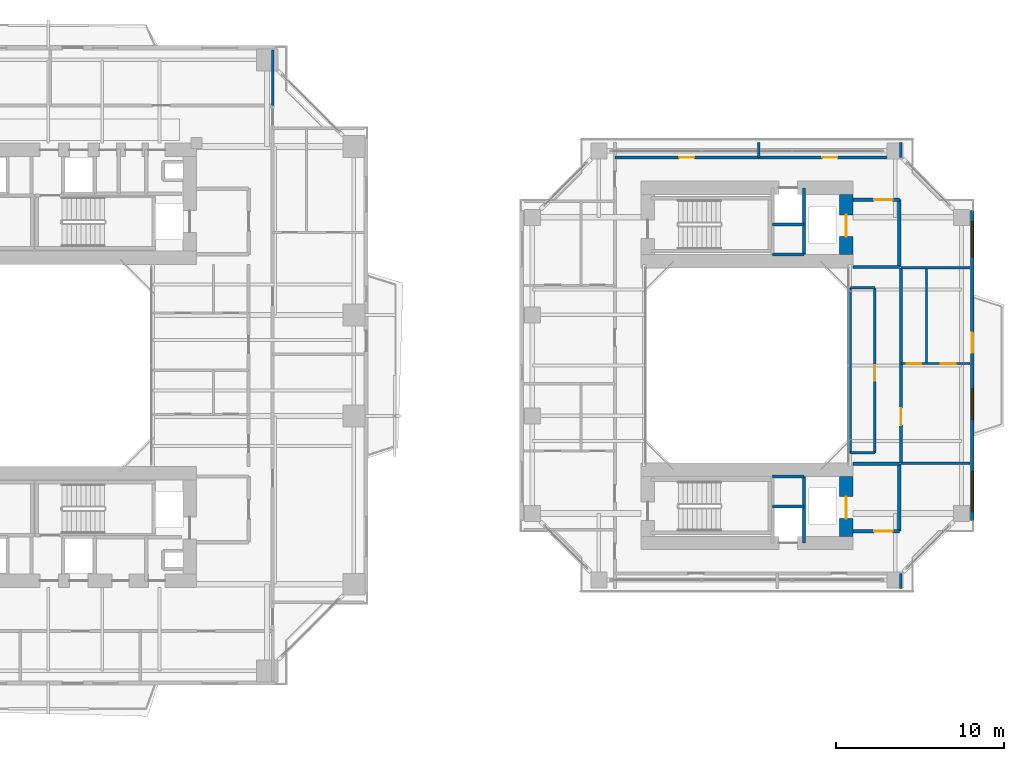
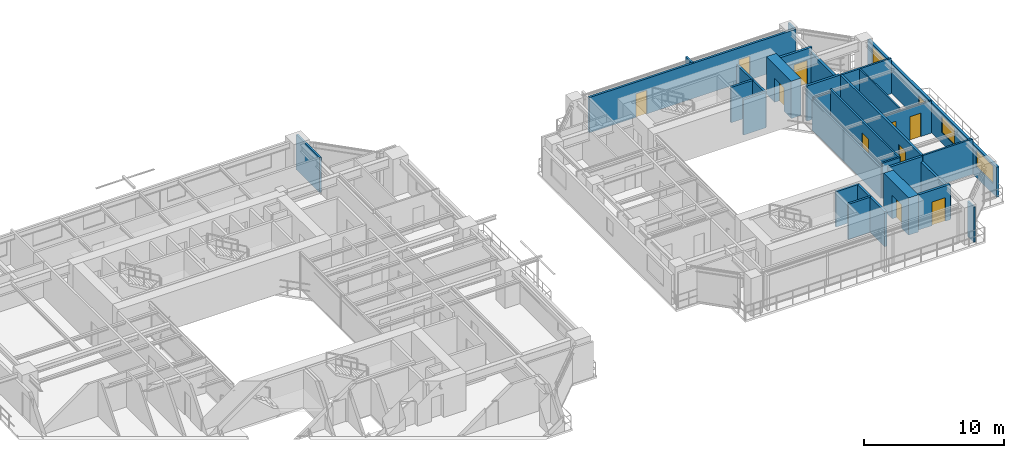
# One storey, part 17 of 23: 29 walls, 11 doors, 3 windows, 14 openings.
"""IFC4 building model written with IfcOpenShell, lengths in metres."""

from ifc_helpers import new_model, si_unit, direction, frame, frame_2d, origin, place, context, subcontext, project, spatial, rectangle, extrude, source, transform, mapped, material, layer, layer_set, type_object, element, fill, save


model = new_model("IFC4")

# Units and contexts
model_context = context("Model", 3, precision=1e-05, world=origin(), true_north=direction((0.0, 1.0)))
body_context = subcontext(model_context, "Body", "Model", "MODEL_VIEW")
ifc_project = project(units=[si_unit("LENGTHUNIT", "METRE"), si_unit("AREAUNIT", "SQUARE_METRE"), si_unit("VOLUMEUNIT", "CUBIC_METRE"), si_unit("PLANEANGLEUNIT", "RADIAN"), si_unit("MASSUNIT", "GRAM", prefix="KILO"), si_unit("THERMODYNAMICTEMPERATUREUNIT", "KELVIN"), si_unit("POWERUNIT", "WATT")], contexts=[model_context])

# Site, building, storey
site_placement = place(None, origin())
site = spatial("IfcSite", under=ifc_project, at=site_placement, CompositionType="ELEMENT")
building_placement = place(site_placement, origin())
building = spatial("IfcBuilding", under=site, at=building_placement, Name="Qiaomeng Ring Towers", CompositionType="ELEMENT")
storey_placement = place(building_placement, frame((0.0, 0.0, 29.5)))
storey = spatial("IfcBuildingStorey", under=building, at=storey_placement, Name="L07", CompositionType="ELEMENT", Elevation=29.5)

# Wall, openings, windows, door
ifc_material_1 = material(Name="Precast concrete C40", Category="concrete")
ifc_layer_1 = layer(ifc_material_1, 0.219970703125, Name="Precast concrete C40")
ifc_layer_set_1 = layer_set([ifc_layer_1], Name="Precast concrete C40")
wall_type_1 = type_object("IfcWallType", Name="ARC-WL-EW2", PredefinedType="STANDARD", material=ifc_layer_set_1)
wall_1_placement = place(storey_placement, frame((73.889892578125, 13.800048828125, 0.0), z_axis=(0.0, 0.0, 1.0), x_axis=(0.0, 1.0, 0.0)))
wall_1 = element("IfcWall", 1, at=wall_1_placement, inside=storey, type_object=wall_type_1, Name="L07 Companion East Wall", PredefinedType="STANDARD", context=body_context, shape_type="SweptSolid", body=[
    extrude(rectangle(XDim=18.39990234375, YDim=0.219970703125, at=frame_2d((9.199951171875, 0.0))), origin(), (0.0, 0.0, 1.0), 2.610107421875),
])
opening_1_placement = place(wall_1_placement, frame((9.949951171875, 0.0, 0.0)))
opening_1 = element("IfcOpeningElement", 2, at=opening_1_placement, cuts=wall_1, Name="Opening BD1", PredefinedType="OPENING", context=body_context, shape_type="SweptSolid", body=[
    extrude(rectangle(XDim=1.199951171875, YDim=2.10009765625, at=frame_2d((0.60009765625, 1.050048828125))), frame((0.0, 0.119873046875, 0.0), z_axis=(0.0, -1.0, 0.0), x_axis=(1.0, 0.0, 0.0)), (0.0, 0.0, 1.0), 0.239990234375),
])
opening_2_placement = place(wall_1_placement, frame((0.507568359375, 0.0, 0.89990234375)))
opening_2 = element("IfcOpeningElement", 3, at=opening_2_placement, cuts=wall_1, Name="Opening WN6", PredefinedType="OPENING", context=body_context, shape_type="SweptSolid", body=[
    extrude(rectangle(XDim=2.39990234375, YDim=1.5, at=frame_2d((1.199951171875, 0.75))), frame((0.0, 0.119873046875, 0.0), z_axis=(0.0, -1.0, 0.0), x_axis=(1.0, 0.0, 0.0)), (0.0, 0.0, 1.0), 0.239990234375),
])
opening_3_placement = place(wall_1_placement, frame((6.0, 0.0, 0.89990234375)))
opening_3 = element("IfcOpeningElement", 4, at=opening_3_placement, cuts=wall_1, Name="Opening WN1", PredefinedType="OPENING", context=body_context, shape_type="SweptSolid", body=[
    extrude(rectangle(XDim=1.800048828125, YDim=1.449951171875, at=frame_2d((0.89990234375, 0.72509765625))), frame((0.0, 0.119873046875, 0.0), z_axis=(0.0, -1.0, 0.0), x_axis=(1.0, 0.0, 0.0)), (0.0, 0.0, 1.0), 0.239990234375),
])
opening_4_placement = place(wall_1_placement, frame((15.642578125, 0.0, 0.89990234375)))
opening_4 = element("IfcOpeningElement", 5, at=opening_4_placement, cuts=wall_1, Name="Opening WN4", PredefinedType="OPENING", context=body_context, shape_type="SweptSolid", body=[
    extrude(rectangle(XDim=2.10009765625, YDim=1.5, at=frame_2d((1.050048828125, 0.75))), frame((0.0, 0.119873046875, 0.0), z_axis=(0.0, -1.0, 0.0), x_axis=(1.0, 0.0, 0.0)), (0.0, 0.0, 1.0), 0.239990234375),
])
ifc_material_2 = material(Name="Low-E dark-grey laminated double glazing", Category="glass")
window_type_1 = type_object("IfcWindowType", Name="ARC-WN-4", PartitioningType="TRIPLE_PANEL_VERTICAL", PredefinedType="WINDOW", material=ifc_material_2)
shared_shape_1 = source(origin(), body_context, "Body", "SweptSolid", [
    extrude(rectangle(XDim=2.10009765625, YDim=1.5, at=frame_2d((1.050048828125, 0.75))), frame((0.0, 0.030029296875, 0.0), z_axis=(0.0, -1.0, 0.0), x_axis=(1.0, 0.0, 0.0)), (0.0, 0.0, 1.0), 0.06005859375),
])
window_1_placement = place(opening_4_placement, origin())
window_1 = element("IfcWindow", 6, at=window_1_placement, inside=storey, type_object=window_type_1, Name="L07 Exterior Window WN4", OverallHeight=1.5, OverallWidth=2.10009765625, PartitioningType="TRIPLE_PANEL_VERTICAL", PredefinedType="WINDOW", context=body_context, shape_type="MappedRepresentation", body=[
    mapped(shared_shape_1, transform((0.0, 0.0, 0.0), x_axis=(1.0, 0.0, 0.0), y_axis=(0.0, 1.0, 0.0), z_axis=(0.0, 0.0, 1.0), scale=1.0)),
])
fill(opening_4, window_1)
window_type_2 = type_object("IfcWindowType", Name="ARC-WN-1", PartitioningType="DOUBLE_PANEL_VERTICAL", PredefinedType="WINDOW", material=ifc_material_2)
shared_shape_2 = source(origin(), body_context, "Body", "SweptSolid", [
    extrude(rectangle(XDim=1.800048828125, YDim=1.449951171875, at=frame_2d((0.89990234375, 0.72509765625))), frame((0.0, 0.030029296875, 0.0), z_axis=(0.0, -1.0, 0.0), x_axis=(1.0, 0.0, 0.0)), (0.0, 0.0, 1.0), 0.06005859375),
])
window_2_placement = place(opening_3_placement, origin())
window_2 = element("IfcWindow", 7, at=window_2_placement, inside=storey, type_object=window_type_2, Name="L07 Exterior Window WN1", OverallHeight=1.449951171875, OverallWidth=1.800048828125, PartitioningType="DOUBLE_PANEL_VERTICAL", PredefinedType="WINDOW", context=body_context, shape_type="MappedRepresentation", body=[
    mapped(shared_shape_2, transform((0.0, 0.0, 0.0), x_axis=(1.0, 0.0, 0.0), y_axis=(0.0, 1.0, 0.0), z_axis=(0.0, 0.0, 1.0), scale=1.0)),
])
fill(opening_3, window_2)
door_type_1 = type_object("IfcDoorType", Name="ARC-DR-BD1", OperationType="NOTDEFINED", PredefinedType="DOOR", material=ifc_material_2)
shared_shape_3 = source(origin(), body_context, "Body", "SweptSolid", [
    extrude(rectangle(XDim=1.199951171875, YDim=2.10009765625, at=frame_2d((0.60009765625, 1.050048828125))), frame((0.0, 0.02490234375, 0.0), z_axis=(0.0, -1.0, 0.0), x_axis=(1.0, 0.0, 0.0)), (0.0, 0.0, 1.0), 0.050048828125),
])
door_1_placement = place(opening_1_placement, origin())
door_1 = element("IfcDoor", 8, at=door_1_placement, inside=storey, type_object=door_type_1, Name="L07 Companion East Balcony Door", OperationType="SINGLE_SWING_LEFT", OverallHeight=2.10009765625, OverallWidth=1.199951171875, PredefinedType="DOOR", context=body_context, shape_type="MappedRepresentation", body=[
    mapped(shared_shape_3, transform((0.0, 0.0, 0.0), x_axis=(1.0, 0.0, 0.0), y_axis=(0.0, 1.0, 0.0), z_axis=(0.0, 0.0, 1.0), scale=1.0)),
])
fill(opening_1, door_1)
window_type_3 = type_object("IfcWindowType", Name="ARC-WN-6", PartitioningType="TRIPLE_PANEL_VERTICAL", PredefinedType="WINDOW", material=ifc_material_2)
shared_shape_4 = source(origin(), body_context, "Body", "SweptSolid", [
    extrude(rectangle(XDim=2.39990234375, YDim=1.5, at=frame_2d((1.199951171875, 0.75))), frame((0.0, 0.030029296875, 0.0), z_axis=(0.0, -1.0, 0.0), x_axis=(1.0, 0.0, 0.0)), (0.0, 0.0, 1.0), 0.06005859375),
])
window_3_placement = place(opening_2_placement, origin())
window_3 = element("IfcWindow", 9, at=window_3_placement, inside=storey, type_object=window_type_3, Name="L07 Exterior Window WN6", OverallHeight=1.5, OverallWidth=2.39990234375, PartitioningType="TRIPLE_PANEL_VERTICAL", PredefinedType="WINDOW", context=body_context, shape_type="MappedRepresentation", body=[
    mapped(shared_shape_4, transform((0.0, 0.0, 0.0), x_axis=(1.0, 0.0, 0.0), y_axis=(0.0, 1.0, 0.0), z_axis=(0.0, 0.0, 1.0), scale=1.0)),
])
fill(opening_2, window_3)

# Walls
ifc_material_3 = material(Name="Autoclaved aerated concrete block", Category="concrete")
ifc_layer_2 = layer(ifc_material_3, 0.199951171875, Name="Autoclaved aerated concrete block")
ifc_layer_set_2 = layer_set([ifc_layer_2], Name="Autoclaved aerated concrete block")
wall_type_2 = type_object("IfcWallType", Name="ARC-WL-PW1", PredefinedType="PARTITIONING", material=ifc_layer_set_2)
wall_2_placement = place(storey_placement, frame((66.800048828125, 28.85009765625, 0.0), z_axis=(0.0, 0.0, 1.0), x_axis=(1.0, 0.0, 0.0)))
element("IfcWall", 10, at=wall_2_placement, inside=storey, type_object=wall_type_2, Name="L07 Interior Wall PW1", PredefinedType="PARTITIONING", context=body_context, shape_type="SweptSolid", body=[
    extrude(rectangle(XDim=2.75, YDim=0.199951171875, at=frame_2d((1.375, 0.0))), origin(), (0.0, 0.0, 1.0), 3.070068359375),
])
wall_3_placement = place(storey_placement, frame((69.550048828125, 28.85009765625, 0.0), z_axis=(0.0, 0.0, 1.0), x_axis=(0.0, 1.0, 0.0)))
element("IfcWall", 11, at=wall_3_placement, inside=storey, type_object=wall_type_2, Name="L07 Interior Wall PW1", PredefinedType="PARTITIONING", context=body_context, shape_type="SweptSolid", body=[
    extrude(rectangle(XDim=4.0, YDim=0.199951171875, at=frame_2d((2.0, 0.0))), origin(), (0.0, 0.0, 1.0), 2.614990234375),
])

# Wall, opening, door
wall_4_placement = place(storey_placement, frame((66.800048828125, 32.85009765625, 0.0), z_axis=(0.0, 0.0, 1.0), x_axis=(1.0, 0.0, 0.0)))
wall_4 = element("IfcWall", 12, at=wall_4_placement, inside=storey, type_object=wall_type_2, Name="L07 Interior Wall PW1", PredefinedType="PARTITIONING", context=body_context, shape_type="SweptSolid", body=[
    extrude(rectangle(XDim=2.75, YDim=0.199951171875, at=frame_2d((1.375, 0.0))), origin(), (0.0, 0.0, 1.0), 3.070068359375),
])
opening_5_placement = place(wall_4_placement, frame((1.25, 0.0, 0.0)))
opening_5 = element("IfcOpeningElement", 13, at=opening_5_placement, cuts=wall_4, Name="Opening FD3", PredefinedType="OPENING", context=body_context, shape_type="SweptSolid", body=[
    extrude(rectangle(XDim=1.10009765625, YDim=2.050048828125, at=frame_2d((0.550048828125, 1.02490234375))), frame((0.0, 0.10986328125, 0.0), z_axis=(0.0, -1.0, 0.0), x_axis=(1.0, 0.0, 0.0)), (0.0, 0.0, 1.0), 0.219970703125),
])
ifc_material_4 = material(Name="Galvanised steel", Category="steel")
door_type_2 = type_object("IfcDoorType", Name="ARC-DR-FD3", OperationType="NOTDEFINED", PredefinedType="DOOR", material=ifc_material_4)
shared_shape_5 = source(origin(), body_context, "Body", "SweptSolid", [
    extrude(rectangle(XDim=1.10009765625, YDim=2.050048828125, at=frame_2d((0.550048828125, 1.02490234375))), frame((0.0, 0.02490234375, 0.0), z_axis=(0.0, -1.0, 0.0), x_axis=(1.0, 0.0, 0.0)), (0.0, 0.0, 1.0), 0.050048828125),
])
door_2_placement = place(opening_5_placement, origin())
door_2 = element("IfcDoor", 14, at=door_2_placement, inside=storey, type_object=door_type_2, Name="L07 Door FD3", OperationType="SINGLE_SWING_RIGHT", OverallHeight=2.050048828125, OverallWidth=1.10009765625, PredefinedType="DOOR", context=body_context, shape_type="MappedRepresentation", body=[
    mapped(shared_shape_5, transform((0.0, 0.0, 0.0), x_axis=(1.0, 0.0, 0.0), y_axis=(0.0, 1.0, 0.0), z_axis=(0.0, 0.0, 1.0), scale=1.0)),
])
fill(opening_5, door_2)

# Walls
wall_5_placement = place(storey_placement, frame((66.800048828125, 17.14990234375, 0.0), z_axis=(0.0, 0.0, 1.0), x_axis=(1.0, 0.0, 0.0)))
element("IfcWall", 15, at=wall_5_placement, inside=storey, type_object=wall_type_2, Name="L07 Interior Wall PW1", PredefinedType="PARTITIONING", context=body_context, shape_type="SweptSolid", body=[
    extrude(rectangle(XDim=2.75, YDim=0.199951171875, at=frame_2d((1.375, 0.0))), origin(), (0.0, 0.0, 1.0), 3.070068359375),
])
wall_6_placement = place(storey_placement, frame((69.550048828125, 13.14990234375, 0.0), z_axis=(0.0, 0.0, 1.0), x_axis=(0.0, 1.0, 0.0)))
element("IfcWall", 16, at=wall_6_placement, inside=storey, type_object=wall_type_2, Name="L07 Interior Wall PW1", PredefinedType="PARTITIONING", context=body_context, shape_type="SweptSolid", body=[
    extrude(rectangle(XDim=4.0, YDim=0.199951171875, at=frame_2d((2.0, 0.0))), origin(), (0.0, 0.0, 1.0), 2.614990234375),
])

# Wall, opening, door
wall_7_placement = place(storey_placement, frame((66.800048828125, 13.14990234375, 0.0), z_axis=(0.0, 0.0, 1.0), x_axis=(1.0, 0.0, 0.0)))
wall_7 = element("IfcWall", 17, at=wall_7_placement, inside=storey, type_object=wall_type_2, Name="L07 Interior Wall PW1", PredefinedType="PARTITIONING", context=body_context, shape_type="SweptSolid", body=[
    extrude(rectangle(XDim=2.75, YDim=0.199951171875, at=frame_2d((1.375, 0.0))), origin(), (0.0, 0.0, 1.0), 3.070068359375),
])
opening_6_placement = place(wall_7_placement, frame((1.25, 0.0, 0.0)))
opening_6 = element("IfcOpeningElement", 18, at=opening_6_placement, cuts=wall_7, Name="Opening FD3", PredefinedType="OPENING", context=body_context, shape_type="SweptSolid", body=[
    extrude(rectangle(XDim=1.10009765625, YDim=2.050048828125, at=frame_2d((0.550048828125, 1.02490234375))), frame((0.0, 0.10986328125, 0.0), z_axis=(0.0, -1.0, 0.0), x_axis=(1.0, 0.0, 0.0)), (0.0, 0.0, 1.0), 0.219970703125),
])
door_3_placement = place(opening_6_placement, origin())
door_3 = element("IfcDoor", 19, at=door_3_placement, inside=storey, type_object=door_type_2, Name="L07 Door FD3", OperationType="SINGLE_SWING_RIGHT", OverallHeight=2.050048828125, OverallWidth=1.10009765625, PredefinedType="DOOR", context=body_context, shape_type="MappedRepresentation", body=[
    mapped(shared_shape_5, transform((0.0, 0.0, 0.0), x_axis=(1.0, 0.0, 0.0), y_axis=(0.0, 1.0, 0.0), z_axis=(0.0, 0.0, 1.0), scale=1.0)),
])
fill(opening_6, door_3)

ifc_layer_3 = layer(ifc_material_3, 0.179931640625, Name="Autoclaved aerated concrete block")
ifc_layer_set_3 = layer_set([ifc_layer_3], Name="Autoclaved aerated concrete block")
wall_type_3 = type_object("IfcWallType", Name="ARC-WL-PW2", PredefinedType="PARTITIONING", material=ifc_layer_set_3)
wall_8_placement = place(storey_placement, frame((69.64990234375, 17.199951171875, 0.0), z_axis=(0.0, 0.0, 1.0), x_axis=(0.0, 1.0, 0.0)))
wall_8 = element("IfcWall", 20, at=wall_8_placement, inside=storey, type_object=wall_type_3, Name="L07 Interior Wall PW2", PredefinedType="PARTITIONING", context=body_context, shape_type="SweptSolid", body=[
    extrude(rectangle(XDim=11.60009765625, YDim=0.179931640625, at=frame_2d((5.800048828125, 0.0))), origin(), (0.0, 0.0, 1.0), 3.070068359375),
])
opening_7_placement = place(wall_8_placement, frame((2.260009765625, 0.0, 0.0)))
opening_7 = element("IfcOpeningElement", 21, at=opening_7_placement, cuts=wall_8, Name="Opening FD4", PredefinedType="OPENING", context=body_context, shape_type="SweptSolid", body=[
    extrude(rectangle(XDim=1.0, YDim=2.050048828125, at=frame_2d((0.5, 1.02490234375))), frame((0.0, 0.099853515625, 0.0), z_axis=(0.0, -1.0, 0.0), x_axis=(1.0, 0.0, 0.0)), (0.0, 0.0, 1.0), 0.199951171875),
])
ifc_material_5 = material(Name="Engineered fire-rated oak timber", Category="wood")
door_type_3 = type_object("IfcDoorType", Name="ARC-DR-FD4", OperationType="NOTDEFINED", PredefinedType="DOOR", material=ifc_material_5)
shared_shape_6 = source(origin(), body_context, "Body", "SweptSolid", [
    extrude(rectangle(XDim=1.0, YDim=2.050048828125, at=frame_2d((0.5, 1.02490234375))), frame((0.0, 0.02490234375, 0.0), z_axis=(0.0, -1.0, 0.0), x_axis=(1.0, 0.0, 0.0)), (0.0, 0.0, 1.0), 0.050048828125),
])
door_4_placement = place(opening_7_placement, origin())
door_4 = element("IfcDoor", 22, at=door_4_placement, inside=storey, type_object=door_type_3, Name="L07 Door FD4", OperationType="SINGLE_SWING_RIGHT", OverallHeight=2.050048828125, OverallWidth=1.0, PredefinedType="DOOR", context=body_context, shape_type="MappedRepresentation", body=[
    mapped(shared_shape_6, transform((0.0, 0.0, 0.0), x_axis=(1.0, 0.0, 0.0), y_axis=(0.0, 1.0, 0.0), z_axis=(0.0, 0.0, 1.0), scale=1.0)),
])
fill(opening_7, door_4)

# Wall, openings, doors
wall_9_placement = place(storey_placement, frame((52.64990234375, 35.35009765625, 0.0), z_axis=(0.0, 0.0, 1.0), x_axis=(1.0, 0.0, 0.0)))
wall_9 = element("IfcWall", 23, at=wall_9_placement, inside=storey, type_object=wall_type_3, Name="L07 Interior Wall PW2", PredefinedType="PARTITIONING", context=body_context, shape_type="SweptSolid", body=[
    extrude(rectangle(XDim=17.0, YDim=0.179931640625, at=frame_2d((8.5, 0.0))), origin(), (0.0, 0.0, 1.0), 3.070068359375),
])
opening_8_placement = place(wall_9_placement, frame((3.824951171875, 0.0, 0.0)))
opening_8 = element("IfcOpeningElement", 24, at=opening_8_placement, cuts=wall_9, Name="Opening ID1", PredefinedType="OPENING", context=body_context, shape_type="SweptSolid", body=[
    extrude(rectangle(XDim=0.89990234375, YDim=2.050048828125, at=frame_2d((0.449951171875, 1.02490234375))), frame((0.0, 0.099853515625, 0.0), z_axis=(0.0, -1.0, 0.0), x_axis=(1.0, 0.0, 0.0)), (0.0, 0.0, 1.0), 0.199951171875),
])
opening_9_placement = place(wall_9_placement, frame((12.324951171875, 0.0, 0.0)))
opening_9 = element("IfcOpeningElement", 25, at=opening_9_placement, cuts=wall_9, Name="Opening ID1", PredefinedType="OPENING", context=body_context, shape_type="SweptSolid", body=[
    extrude(rectangle(XDim=0.89990234375, YDim=2.050048828125, at=frame_2d((0.449951171875, 1.02490234375))), frame((0.0, 0.099853515625, 0.0), z_axis=(0.0, -1.0, 0.0), x_axis=(1.0, 0.0, 0.0)), (0.0, 0.0, 1.0), 0.199951171875),
])
ifc_material_6 = material(Name="Engineered oak timber", Category="wood")
door_type_4 = type_object("IfcDoorType", Name="ARC-DR-ID1", OperationType="NOTDEFINED", PredefinedType="DOOR", material=ifc_material_6)
shared_shape_7 = source(origin(), body_context, "Body", "SweptSolid", [
    extrude(rectangle(XDim=0.89990234375, YDim=2.050048828125, at=frame_2d((0.449951171875, 1.02490234375))), frame((0.0, 0.02490234375, 0.0), z_axis=(0.0, -1.0, 0.0), x_axis=(1.0, 0.0, 0.0)), (0.0, 0.0, 1.0), 0.050048828125),
])
door_5_placement = place(opening_8_placement, origin())
door_5 = element("IfcDoor", 26, at=door_5_placement, inside=storey, type_object=door_type_4, Name="L07 Door ID1", OperationType="SINGLE_SWING_RIGHT", OverallHeight=2.050048828125, OverallWidth=0.89990234375, PredefinedType="DOOR", context=body_context, shape_type="MappedRepresentation", body=[
    mapped(shared_shape_7, transform((0.0, 0.0, 0.0), x_axis=(1.0, 0.0, 0.0), y_axis=(0.0, 1.0, 0.0), z_axis=(0.0, 0.0, 1.0), scale=1.0)),
])
fill(opening_8, door_5)
door_6_placement = place(opening_9_placement, origin())
door_6 = element("IfcDoor", 27, at=door_6_placement, inside=storey, type_object=door_type_4, Name="L07 Door ID1", OperationType="SINGLE_SWING_LEFT", OverallHeight=2.050048828125, OverallWidth=0.89990234375, PredefinedType="DOOR", context=body_context, shape_type="MappedRepresentation", body=[
    mapped(shared_shape_7, transform((0.0, 0.0, 0.0), x_axis=(1.0, 0.0, 0.0), y_axis=(0.0, 1.0, 0.0), z_axis=(0.0, 0.0, 1.0), scale=1.0)),
])
fill(opening_9, door_6)

# Walls
ifc_material_7 = material(Name="Gypsum fireboard steel-stud partition", Category="steel")
ifc_layer_4 = layer(ifc_material_7, 0.14990234375, Name="Gypsum fireboard steel-stud partition")
ifc_layer_set_4 = layer_set([ifc_layer_4], Name="Gypsum fireboard steel-stud partition")
wall_type_4 = type_object("IfcWallType", Name="ARC-WL-PW3", PredefinedType="PARTITIONING", material=ifc_layer_set_4)
wall_10_placement = place(storey_placement, frame((32.320068359375, 38.43994140625, 0.0), z_axis=(0.0, 0.0, 1.0), x_axis=(0.0, 1.0, 0.0)))
element("IfcWall", 28, at=wall_10_placement, inside=storey, type_object=wall_type_4, Name="L07 Interior Wall PW3", PredefinedType="PARTITIONING", context=body_context, shape_type="SweptSolid", body=[
    extrude(rectangle(XDim=3.31005859375, YDim=0.14990234375, at=frame_2d((1.655029296875, 0.0))), origin(), (0.0, 0.0, 1.0), 3.070068359375),
])
for number, where, z_axis, x_axis, name in (
    (29, (69.64990234375, 17.199951171875, 0.0), (0.0, 0.0, 1.0), (1.0, 0.0, 0.0), "L07 Interior Wall PW3"),
    (30, (69.64990234375, 28.800048828125, 0.0), (0.0, 0.0, 1.0), (1.0, 0.0, 0.0), "L07 Interior Wall PW3"),
):
    element("IfcWall", number, at=place(storey_placement, frame(where, z_axis=z_axis, x_axis=x_axis)), inside=storey, type_object=wall_type_4, Name=name, PredefinedType="PARTITIONING", context=body_context, shape_type="SweptSolid", body=[
        extrude(rectangle(XDim=4.10009765625, YDim=0.14990234375, at=frame_2d((2.050048828125, 0.0))), origin(), (0.0, 0.0, 1.0), 3.070068359375),
    ])

# Wall, opening, door
wall_11_placement = place(storey_placement, frame((68.10009765625, 17.800048828125, 0.0), z_axis=(0.0, 0.0, 1.0), x_axis=(0.0, 1.0, 0.0)))
wall_11 = element("IfcWall", 31, at=wall_11_placement, inside=storey, type_object=wall_type_4, Name="L07 Interior Wall PW3", PredefinedType="PARTITIONING", context=body_context, shape_type="SweptSolid", body=[
    extrude(rectangle(XDim=9.800048828125, YDim=0.14990234375, at=frame_2d((4.89990234375, 0.0))), origin(), (0.0, 0.0, 1.0), 3.070068359375),
])
opening_10_placement = place(wall_11_placement, frame((4.300048828125, 0.0, 0.0)))
opening_10 = element("IfcOpeningElement", 32, at=opening_10_placement, cuts=wall_11, Name="Opening ID1", PredefinedType="OPENING", context=body_context, shape_type="SweptSolid", body=[
    extrude(rectangle(XDim=0.89990234375, YDim=2.050048828125, at=frame_2d((0.449951171875, 1.02490234375))), frame((0.0, 0.0849609375, 0.0), z_axis=(0.0, -1.0, 0.0), x_axis=(1.0, 0.0, 0.0)), (0.0, 0.0, 1.0), 0.169921875),
])
door_7_placement = place(opening_10_placement, origin())
door_7 = element("IfcDoor", 33, at=door_7_placement, inside=storey, type_object=door_type_4, Name="L07 Door ID1", OperationType="SINGLE_SWING_LEFT", OverallHeight=2.050048828125, OverallWidth=0.89990234375, PredefinedType="DOOR", context=body_context, shape_type="MappedRepresentation", body=[
    mapped(shared_shape_7, transform((0.0, 0.0, 0.0), x_axis=(1.0, 0.0, 0.0), y_axis=(0.0, 1.0, 0.0), z_axis=(0.0, 0.0, 1.0), scale=1.0)),
])
fill(opening_10, door_7)

# Walls
wall_12_placement = place(storey_placement, frame((66.64990234375, 27.60009765625, 0.0), z_axis=(0.0, 0.0, 1.0), x_axis=(1.0, 0.0, 0.0)))
element("IfcWall", 34, at=wall_12_placement, inside=storey, type_object=wall_type_4, Name="L07 Interior Wall PW3", PredefinedType="PARTITIONING", context=body_context, shape_type="SweptSolid", body=[
    extrude(rectangle(XDim=1.4501953125, YDim=0.14990234375, at=frame_2d((0.72509765625, 0.0))), origin(), (0.0, 0.0, 1.0), 2.821044921875),
])
wall_13_placement = place(storey_placement, frame((66.64990234375, 17.800048828125, 0.0), z_axis=(0.0, 0.0, 1.0), x_axis=(1.0, 0.0, 0.0)))
element("IfcWall", 35, at=wall_13_placement, inside=storey, type_object=wall_type_4, Name="L07 Interior Wall PW3", PredefinedType="PARTITIONING", context=body_context, shape_type="SweptSolid", body=[
    extrude(rectangle(XDim=1.4501953125, YDim=0.14990234375, at=frame_2d((0.72509765625, 0.0))), origin(), (0.0, 0.0, 1.0), 3.070068359375),
])
wall_14_placement = place(storey_placement, frame((66.64990234375, 17.800048828125, 0.0), z_axis=(0.0, 0.0, 1.0), x_axis=(0.0, 1.0, 0.0)))
element("IfcWall", 36, at=wall_14_placement, inside=storey, type_object=wall_type_4, Name="L07 Interior Wall PW3", PredefinedType="PARTITIONING", context=body_context, shape_type="SweptSolid", body=[
    extrude(rectangle(XDim=9.800048828125, YDim=0.14990234375, at=frame_2d((4.89990234375, 0.0))), origin(), (0.0, 0.0, 1.0), 2.6650390625),
])
for number, where, z_axis, x_axis, name in (
    (37, (61.199951171875, 35.35009765625, 0.0), (0.0, 0.0, 1.0), (0.0, 1.0, 0.0), "L07 Interior Wall PW3"),
    (38, (69.64990234375, 35.35009765625, 0.0), (0.0, 0.0, 1.0), (0.0, 1.0, 0.0), "L07 Interior Wall PW3"),
    (39, (69.64990234375, 9.75, 0.0), (0.0, 0.0, 1.0), (0.0, 1.0, 0.0), "L07 Interior Wall PW3"),
):
    element("IfcWall", number, at=place(storey_placement, frame(where, z_axis=z_axis, x_axis=x_axis)), inside=storey, type_object=wall_type_4, Name=name, PredefinedType="PARTITIONING", context=body_context, shape_type="SweptSolid", body=[
        extrude(rectangle(XDim=0.89990234375, YDim=0.14990234375, at=frame_2d((0.449951171875, 0.0))), origin(), (0.0, 0.0, 1.0), 3.070068359375),
    ])

# Wall, openings, doors
ifc_material_8 = material(Name="Moisture-resistant gypsum steel-stud partition", Category="steel")
ifc_layer_5 = layer(ifc_material_8, 0.1201171875, Name="Moisture-resistant gypsum steel-stud partition")
ifc_layer_set_5 = layer_set([ifc_layer_5], Name="Moisture-resistant gypsum steel-stud partition")
wall_type_5 = type_object("IfcWallType", Name="ARC-WL-PW4", PredefinedType="PLUMBINGWALL", material=ifc_layer_set_5)
wall_15_placement = place(storey_placement, frame((69.64990234375, 23.10009765625, 0.0), z_axis=(0.0, 0.0, 1.0), x_axis=(1.0, 0.0, 0.0)))
wall_15 = element("IfcWall", 40, at=wall_15_placement, inside=storey, type_object=wall_type_5, Name="L07 Interior Wall PW4", PredefinedType="PLUMBINGWALL", context=body_context, shape_type="SweptSolid", body=[
    extrude(rectangle(XDim=4.10009765625, YDim=0.1201171875, at=frame_2d((2.050048828125, 0.0))), origin(), (0.0, 0.0, 1.0), 2.821044921875),
])
opening_11_placement = place(wall_15_placement, frame((0.344970703125, 0.0, 0.0)))
opening_11 = element("IfcOpeningElement", 41, at=opening_11_placement, cuts=wall_15, Name="Opening ID2", PredefinedType="OPENING", context=body_context, shape_type="SweptSolid", body=[
    extrude(rectangle(XDim=0.85009765625, YDim=2.050048828125, at=frame_2d((0.425048828125, 1.02490234375))), frame((0.0, 0.070068359375, 0.0), z_axis=(0.0, -1.0, 0.0), x_axis=(1.0, 0.0, 0.0)), (0.0, 0.0, 1.0), 0.14013671875),
])
opening_12_placement = place(wall_15_placement, frame((2.35009765625, 0.0, 0.0)))
opening_12 = element("IfcOpeningElement", 42, at=opening_12_placement, cuts=wall_15, Name="Opening ID1", PredefinedType="OPENING", context=body_context, shape_type="SweptSolid", body=[
    extrude(rectangle(XDim=0.89990234375, YDim=2.050048828125, at=frame_2d((0.449951171875, 1.02490234375))), frame((0.0, 0.070068359375, 0.0), z_axis=(0.0, -1.0, 0.0), x_axis=(1.0, 0.0, 0.0)), (0.0, 0.0, 1.0), 0.14013671875),
])
ifc_material_9 = material(Name="Moisture-resistant engineered timber", Category="wood")
door_type_5 = type_object("IfcDoorType", Name="ARC-DR-ID2", OperationType="NOTDEFINED", PredefinedType="DOOR", material=ifc_material_9)
shared_shape_8 = source(origin(), body_context, "Body", "SweptSolid", [
    extrude(rectangle(XDim=0.85009765625, YDim=2.050048828125, at=frame_2d((0.425048828125, 1.02490234375))), frame((0.0, 0.02490234375, 0.0), z_axis=(0.0, -1.0, 0.0), x_axis=(1.0, 0.0, 0.0)), (0.0, 0.0, 1.0), 0.050048828125),
])
door_8_placement = place(opening_11_placement, origin())
door_8 = element("IfcDoor", 43, at=door_8_placement, inside=storey, type_object=door_type_5, Name="L07 Door ID2", OperationType="SINGLE_SWING_RIGHT", OverallHeight=2.050048828125, OverallWidth=0.85009765625, PredefinedType="DOOR", context=body_context, shape_type="MappedRepresentation", body=[
    mapped(shared_shape_8, transform((0.0, 0.0, 0.0), x_axis=(1.0, 0.0, 0.0), y_axis=(0.0, 1.0, 0.0), z_axis=(0.0, 0.0, 1.0), scale=1.0)),
])
fill(opening_11, door_8)
door_9_placement = place(opening_12_placement, origin())
door_9 = element("IfcDoor", 44, at=door_9_placement, inside=storey, type_object=door_type_4, Name="L07 Door ID1", OperationType="SINGLE_SWING_LEFT", OverallHeight=2.050048828125, OverallWidth=0.89990234375, PredefinedType="DOOR", context=body_context, shape_type="MappedRepresentation", body=[
    mapped(shared_shape_7, transform((0.0, 0.0, 0.0), x_axis=(1.0, 0.0, 0.0), y_axis=(0.0, 1.0, 0.0), z_axis=(0.0, 0.0, 1.0), scale=1.0)),
])
fill(opening_12, door_9)

# Walls
wall_16_placement = place(storey_placement, frame((71.169921875, 23.10009765625, 0.0), z_axis=(0.0, 0.0, 1.0), x_axis=(0.0, 1.0, 0.0)))
element("IfcWall", 45, at=wall_16_placement, inside=storey, type_object=wall_type_5, Name="L07 Interior Wall PW4", PredefinedType="PLUMBINGWALL", context=body_context, shape_type="SweptSolid", body=[
    extrude(rectangle(XDim=5.699951171875, YDim=0.1201171875, at=frame_2d((2.85009765625, 0.0))), origin(), (0.0, 0.0, 1.0), 3.070068359375),
])
ifc_material_10 = material(Name="Concrete C40", Category="concrete")
ifc_layer_6 = layer(ifc_material_10, 0.199951171875, Name="Concrete C40")
ifc_layer_set_6 = layer_set([ifc_layer_6], Name="Concrete C40")
wall_type_6 = type_object("IfcWallType", Name="STR-WL-STSHAFT", PredefinedType="SHEAR", material=ifc_layer_set_6)
wall_17_placement = place(storey_placement, frame((63.8798828125, 29.60009765625, 0.0), z_axis=(0.0, 0.0, 1.0), x_axis=(0.0, 1.0, 0.0)))
element("IfcWall", 46, at=wall_17_placement, inside=storey, type_object=wall_type_6, Name="L07 Companion Lift Shaft East Wall N", PredefinedType="SHEAR", context=body_context, shape_type="SweptSolid", body=[
    extrude(rectangle(XDim=3.949951171875, YDim=0.179931640625, at=frame_2d((1.97509765625, 0.0))), origin(), (0.0, 0.0, 1.0), 3.070068359375),
])
for number, where, z_axis, x_axis, name in (
    (47, (62.02001953125, 31.3798828125, 0.0), (0.0, 0.0, 1.0), (1.0, 0.0, 0.0), "L07 Companion Lift Shaft Divider Wall N"),
    (48, (62.02001953125, 29.60009765625, 0.0), (0.0, 0.0, 1.0), (1.0, 0.0, 0.0), "L07 Companion Riser Shaft Back Wall N"),
):
    element("IfcWall", number, at=place(storey_placement, frame(where, z_axis=z_axis, x_axis=x_axis)), inside=storey, type_object=wall_type_6, Name=name, PredefinedType="SHEAR", context=body_context, shape_type="SweptSolid", body=[
        extrude(rectangle(XDim=1.85986328125, YDim=0.179931640625, at=frame_2d((0.929931640625, 0.0))), origin(), (0.0, 0.0, 1.0), 3.070068359375),
    ])
wall_18_placement = place(storey_placement, frame((63.8798828125, 12.449951171875, 0.0), z_axis=(0.0, 0.0, 1.0), x_axis=(0.0, 1.0, 0.0)))
element("IfcWall", 49, at=wall_18_placement, inside=storey, type_object=wall_type_6, Name="L07 Companion Lift Shaft East Wall S", PredefinedType="SHEAR", context=body_context, shape_type="SweptSolid", body=[
    extrude(rectangle(XDim=3.949951171875, YDim=0.179931640625, at=frame_2d((1.97509765625, 0.0))), origin(), (0.0, 0.0, 1.0), 3.070068359375),
])
for number, where, z_axis, x_axis, name in (
    (50, (62.02001953125, 14.6201171875, 0.0), (0.0, 0.0, 1.0), (1.0, 0.0, 0.0), "L07 Companion Lift Shaft Divider Wall S"),
    (51, (62.02001953125, 16.39990234375, 0.0), (0.0, 0.0, 1.0), (1.0, 0.0, 0.0), "L07 Companion Riser Shaft Back Wall S"),
):
    element("IfcWall", number, at=place(storey_placement, frame(where, z_axis=z_axis, x_axis=x_axis)), inside=storey, type_object=wall_type_6, Name=name, PredefinedType="SHEAR", context=body_context, shape_type="SweptSolid", body=[
        extrude(rectangle(XDim=1.85986328125, YDim=0.179931640625, at=frame_2d((0.929931640625, 0.0))), origin(), (0.0, 0.0, 1.0), 3.070068359375),
    ])

# Wall, opening, door
ifc_material_11 = material(Name="Concrete C60", Category="concrete")
ifc_layer_7 = layer(ifc_material_11, 0.800048828125, Name="Concrete C60")
ifc_layer_set_7 = layer_set([ifc_layer_7], Name="Concrete C60")
wall_type_7 = type_object("IfcWallType", Name="STR-WL-SW1", PredefinedType="SHEAR", material=ifc_layer_set_7)
wall_19_placement = place(storey_placement, frame((66.39990234375, 29.60009765625, 0.0), z_axis=(0.0, 0.0, 1.0), x_axis=(0.0, 1.0, 0.0)))
wall_19 = element("IfcWall", 52, at=wall_19_placement, inside=storey, type_object=wall_type_7, Name="L07 T2NC east core shear wall", PredefinedType="SHEAR", context=body_context, shape_type="SweptSolid", body=[
    extrude(rectangle(XDim=3.5498046875, YDim=0.800048828125, at=frame_2d((1.77490234375, 0.0))), origin(), (0.0, 0.0, 1.0), 3.25),
])
opening_13_placement = place(wall_19_placement, frame((1.050048828125, 0.0, 0.0)))
opening_13 = element("IfcOpeningElement", 53, at=opening_13_placement, cuts=wall_19, Name="Opening LD2", PredefinedType="OPENING", context=body_context, shape_type="SweptSolid", body=[
    extrude(rectangle(XDim=1.300048828125, YDim=2.050048828125, at=frame_2d((0.64990234375, 1.02490234375))), frame((0.0, 0.409912109375, 0.0), z_axis=(0.0, -1.0, 0.0), x_axis=(1.0, 0.0, 0.0)), (0.0, 0.0, 1.0), 0.820068359375),
])
ifc_material_12 = material(Name="Stainless steel 316", Category="steel")
door_type_6 = type_object("IfcDoorType", Name="ARC-DR-LD2", OperationType="NOTDEFINED", PredefinedType="DOOR", material=ifc_material_12)
shared_shape_9 = source(origin(), body_context, "Body", "SweptSolid", [
    extrude(rectangle(XDim=1.300048828125, YDim=2.050048828125, at=frame_2d((0.64990234375, 1.02490234375))), frame((0.0, 0.02490234375, 0.0), z_axis=(0.0, -1.0, 0.0), x_axis=(1.0, 0.0, 0.0)), (0.0, 0.0, 1.0), 0.050048828125),
])
door_10_placement = place(opening_13_placement, origin())
door_10 = element("IfcDoor", 54, at=door_10_placement, inside=storey, type_object=door_type_6, Name="L07 Firefighting Lift FL3 Landing Door", OperationType="SLIDING_TO_LEFT", OverallHeight=2.050048828125, OverallWidth=1.300048828125, PredefinedType="DOOR", context=body_context, shape_type="MappedRepresentation", body=[
    mapped(shared_shape_9, transform((0.0, 0.0, 0.0), x_axis=(1.0, 0.0, 0.0), y_axis=(0.0, 1.0, 0.0), z_axis=(0.0, 0.0, 1.0), scale=1.0)),
])
fill(opening_13, door_10)

wall_20_placement = place(storey_placement, frame((66.39990234375, 12.85009765625, 0.0), z_axis=(0.0, 0.0, 1.0), x_axis=(0.0, 1.0, 0.0)))
wall_20 = element("IfcWall", 55, at=wall_20_placement, inside=storey, type_object=wall_type_7, Name="L07 T2SC east core shear wall", PredefinedType="SHEAR", context=body_context, shape_type="SweptSolid", body=[
    extrude(rectangle(XDim=3.5498046875, YDim=0.800048828125, at=frame_2d((1.77490234375, 0.0))), origin(), (0.0, 0.0, 1.0), 3.25),
])
opening_14_placement = place(wall_20_placement, frame((1.050048828125, 0.0, 0.0)))
opening_14 = element("IfcOpeningElement", 56, at=opening_14_placement, cuts=wall_20, Name="Opening LD2", PredefinedType="OPENING", context=body_context, shape_type="SweptSolid", body=[
    extrude(rectangle(XDim=1.300048828125, YDim=2.050048828125, at=frame_2d((0.64990234375, 1.02490234375))), frame((0.0, 0.409912109375, 0.0), z_axis=(0.0, -1.0, 0.0), x_axis=(1.0, 0.0, 0.0)), (0.0, 0.0, 1.0), 0.820068359375),
])
door_11_placement = place(opening_14_placement, origin())
door_11 = element("IfcDoor", 57, at=door_11_placement, inside=storey, type_object=door_type_6, Name="L07 Firefighting Lift FL4 Landing Door", OperationType="SLIDING_TO_RIGHT", OverallHeight=2.050048828125, OverallWidth=1.300048828125, PredefinedType="DOOR", context=body_context, shape_type="MappedRepresentation", body=[
    mapped(shared_shape_9, transform((0.0, 0.0, 0.0), x_axis=(1.0, 0.0, 0.0), y_axis=(0.0, 1.0, 0.0), z_axis=(0.0, 0.0, 1.0), scale=1.0)),
])
fill(opening_14, door_11)

save(model, "model.ifc")
